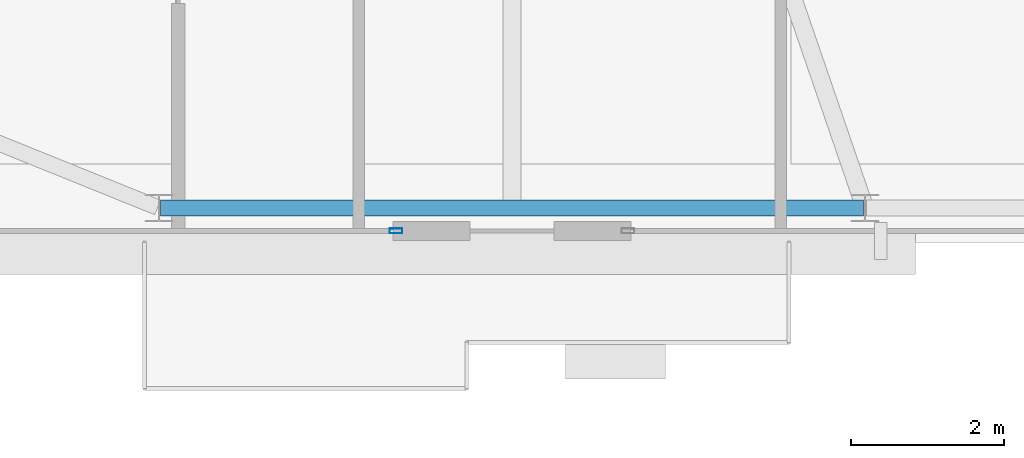
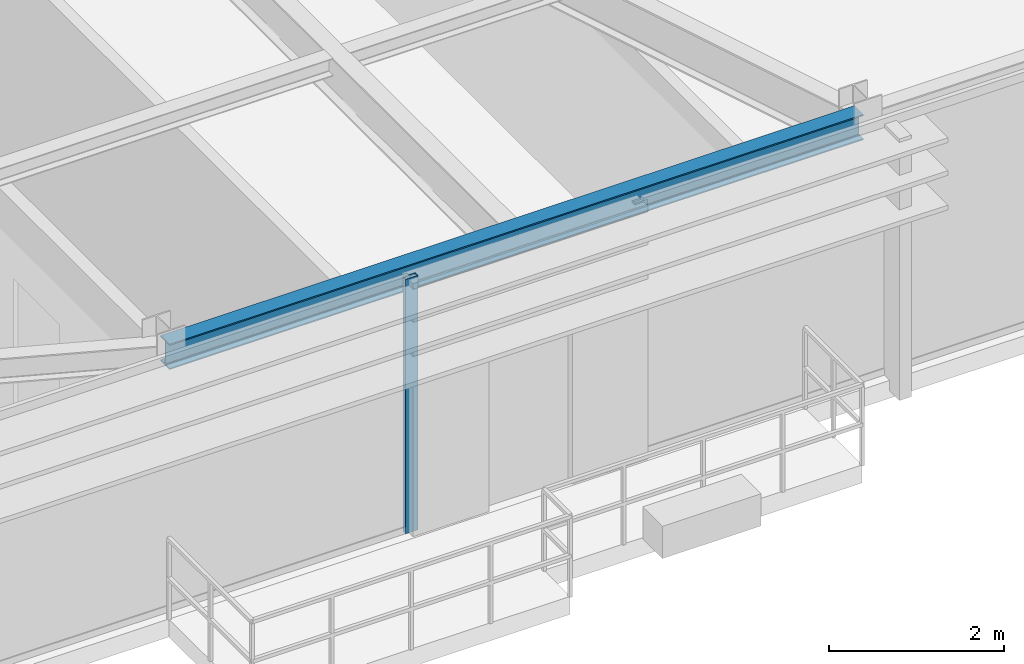
# One storey, part 6 of 31: 1 beam, 1 member, 1 element without a shape of its own.
"""IFC4 building model written with IfcOpenShell, lengths in metres."""

from ifc_helpers import new_model, si_unit, direction, frame, origin, origin_2d, place, context, subcontext, project, spatial, hollow_rectangle, i_section, extrude, source, transform, mapped, material, layer, layer_set, material_profile, profile_set, type_object, type_shapes, element, aggregate, save


model = new_model("IFC4")

# Units and contexts
model_context = context("Model", 3, precision=1e-05, world=origin(), true_north=direction((0.0, 1.0)))
body_context = subcontext(model_context, "Body", "Model", "MODEL_VIEW")
ifc_project = project(units=[si_unit("LENGTHUNIT", "METRE"), si_unit("AREAUNIT", "SQUARE_METRE"), si_unit("VOLUMEUNIT", "CUBIC_METRE"), si_unit("PLANEANGLEUNIT", "RADIAN"), si_unit("MASSUNIT", "GRAM", prefix="KILO")], contexts=[model_context])

# Site, building, storey
site_placement = place(None, origin())
site = spatial("IfcSite", under=ifc_project, at=site_placement, CompositionType="ELEMENT")
building_placement = place(site_placement, origin())
building = spatial("IfcBuilding", under=site, at=building_placement, Name="Varnel Quay Broadcast Tower", CompositionType="ELEMENT")
storey_placement = place(building_placement, frame((0.0, 0.0, 215.0)))
storey = spatial("IfcBuildingStorey", under=building, at=storey_placement, Name="L53", CompositionType="ELEMENT", Elevation=215.0)

# Beam
ifc_material_1 = material(Name="Structural Steel CSA G40.21 350W", Category="steel")
ifc_material_profile_1 = material_profile(ifc_material_1, i_section(OverallWidth=0.205078125, OverallDepth=0.35400390625, WebThickness=0.009521484375, FlangeThickness=0.016845703125, FilletRadius=0.012939453125, at=origin_2d()), Name="W360X79")
ifc_profile_set_1 = profile_set([ifc_material_profile_1], Name="Structural Steel CSA G40.21 350W")
beam_type = type_object("IfcBeamType", Name="Beam_W360X79", PredefinedType="SPANDREL", material=ifc_profile_set_1)
shared_shape_1 = source(origin(), body_context, "Body", "SweptSolid", [
    extrude(i_section(OverallWidth=0.205078125, OverallDepth=0.35400390625, WebThickness=0.009521484375, FlangeThickness=0.016845703125, FilletRadius=0.012939453125, at=origin_2d()), origin(), (0.0, 0.0, 1.0), 9.159912109375),
])
type_shapes(beam_type, [shared_shape_1])
beam_placement = place(storey_placement, frame((20.219970703125, 10.64990234375, 3.373046875), z_axis=(1.0, 0.0, 0.0), x_axis=(0.0, 1.0, 0.0)))
element("IfcBeam", 1, at=beam_placement, inside=storey, type_object=beam_type, Name="L53 South Spandrel TC-S1-TC-S2", PredefinedType="SPANDREL", context=body_context, shape_type="MappedRepresentation", body=[
    mapped(shared_shape_1, transform((0.0, 0.0, 0.0), x_axis=(1.0, 0.0, 0.0), y_axis=(0.0, 1.0, 0.0), z_axis=(0.0, 0.0, 1.0), scale=1.0)),
])

# Curtain wall, member
ifc_material_2 = material(Name="Anodised Bronze Aluminium 6063-T6", Category="aluminium")
ifc_layer = layer(ifc_material_2, 0.18994140625, Name="Anodised Bronze Aluminium 6063-T6")
ifc_layer_set = layer_set([ifc_layer], Name="Anodised Bronze Aluminium 6063-T6")
curtain_wall_type = type_object("IfcCurtainWallType", Name="CW_UpperTower", PredefinedType="NOTDEFINED", material=ifc_layer_set)
curtain_wall_placement = place(storey_placement, origin())
curtain_wall = element("IfcCurtainWall", 2, at=curtain_wall_placement, inside=storey, type_object=curtain_wall_type, Name="L53 South Unitised Curtain Wall 1", PredefinedType="NOTDEFINED")
ifc_material_profile_2 = material_profile(ifc_material_2, hollow_rectangle(XDim=0.06494140625, YDim=0.1650390625, WallThickness=0.00341796875, at=origin_2d()), Name="ALU65X165X3.5")
ifc_profile_set_2 = profile_set([ifc_material_profile_2], Name="Anodised Bronze Aluminium 6063-T6")
member_type = type_object("IfcMemberType", Name="Mull_CWS-03", PredefinedType="MULLION", material=ifc_profile_set_2)
shared_shape_2 = source(origin(), body_context, "Body", "SweptSolid", [
    extrude(hollow_rectangle(XDim=0.06494140625, YDim=0.1650390625, WallThickness=0.00341796875, at=origin_2d()), origin(), (0.0, 0.0, 1.0), 3.550048828125),
])
type_shapes(member_type, [shared_shape_2])
member_placement = place(storey_placement, frame((23.28759765625, 10.35009765625, 0.0), z_axis=(0.0, 0.0, 1.0), x_axis=(0.0, 1.0, 0.0)))
member = element("IfcMember", 3, at=member_placement, type_object=member_type, Name="CWS-03 mullion 2", PredefinedType="MULLION", context=body_context, shape_type="MappedRepresentation", body=[
    mapped(shared_shape_2, transform((0.0, 0.0, 0.0), x_axis=(1.0, 0.0, 0.0), y_axis=(0.0, 1.0, 0.0), z_axis=(0.0, 0.0, 1.0), scale=1.0)),
])
aggregate(curtain_wall, [member])

save(model, "model.ifc")
